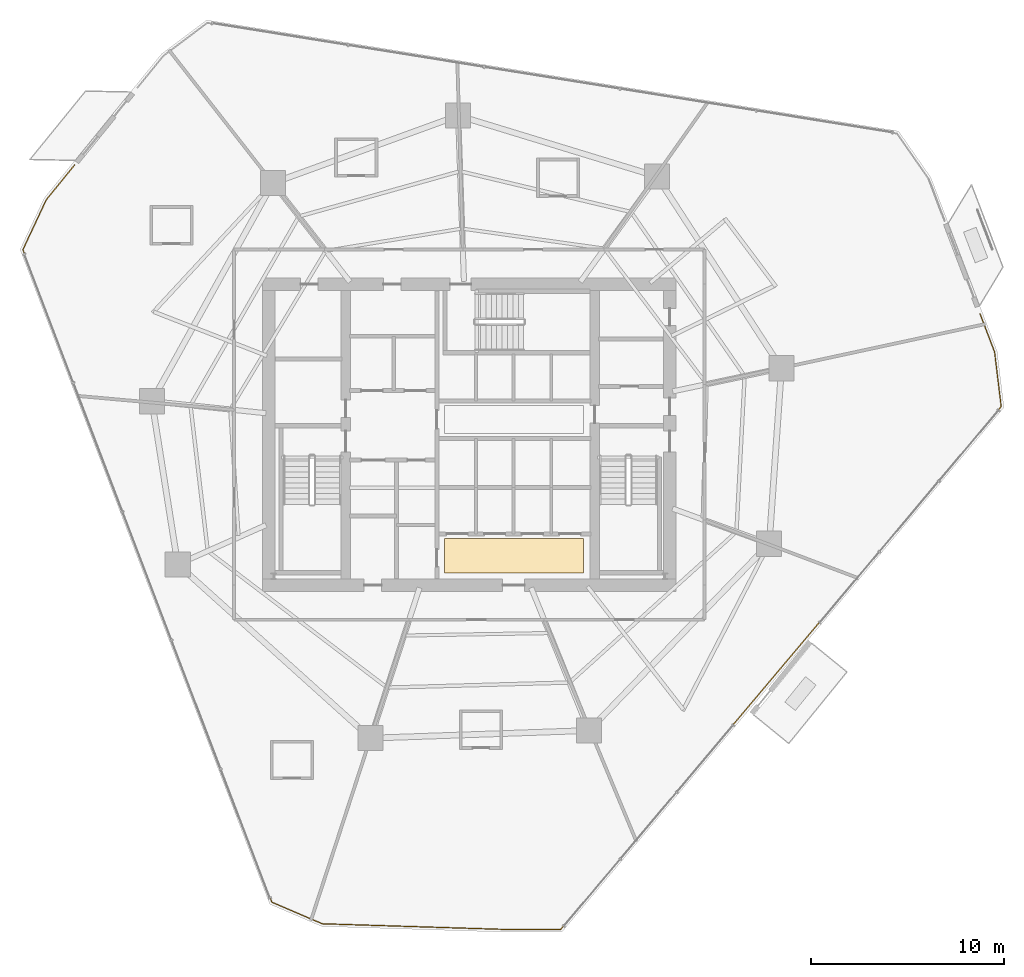
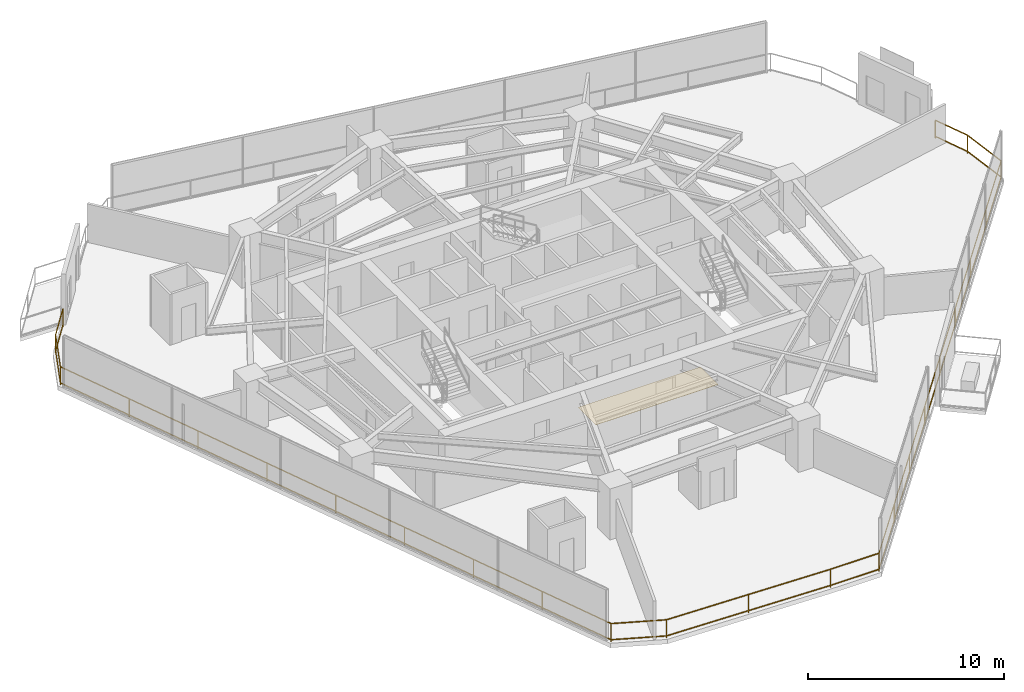
# One storey, part 29 of 31: 1 covering, 1 railing.
"""IFC4 building model written with IfcOpenShell, lengths in metres."""

from ifc_helpers import new_model, si_unit, direction, frame, origin, origin_2d, place, context, subcontext, project, spatial, rectangle, extrude, material, layer, layer_set, type_object, element, save


model = new_model("IFC4")

# Units and contexts
model_context = context("Model", 3, precision=1e-05, world=origin(), true_north=direction((0.0, 1.0)))
body_context = subcontext(model_context, "Body", "Model", "MODEL_VIEW")
ifc_project = project(units=[si_unit("LENGTHUNIT", "METRE"), si_unit("AREAUNIT", "SQUARE_METRE"), si_unit("VOLUMEUNIT", "CUBIC_METRE"), si_unit("PLANEANGLEUNIT", "RADIAN"), si_unit("MASSUNIT", "GRAM", prefix="KILO")], contexts=[model_context])

# Site, building, storey
site_placement = place(None, origin())
site = spatial("IfcSite", under=ifc_project, at=site_placement, CompositionType="ELEMENT")
building_placement = place(site_placement, origin())
building = spatial("IfcBuilding", under=site, at=building_placement, Name="Qarnah Convention Tower", CompositionType="ELEMENT")
storey_placement = place(building_placement, frame((0.0, 0.0, 33.89990234375)))
storey = spatial("IfcBuildingStorey", under=building, at=storey_placement, Name="L07", CompositionType="ELEMENT", Elevation=33.89990234375)

# Covering
ifc_material_1 = material(Name="Porcelain stone floor tile", Category="masonry")
ifc_layer = layer(ifc_material_1, 0.02001953125)
ifc_layer_set = layer_set([ifc_layer], Name="Porcelain stone floor tile")
covering_type = type_object("IfcCoveringType", Name="COV-FLOOR-20", PredefinedType="FLOORING", material=ifc_layer_set)
covering_placement = place(storey_placement, frame((39.52001953125, 20.1201171875, 0.0), z_axis=(0.0, 0.0, 1.0), x_axis=(1.0, 0.0, 0.0)))
element("IfcCovering", 1, at=covering_placement, inside=storey, type_object=covering_type, Name="L07 lift lobby porcelain stone flooring", PredefinedType="FLOORING", context=body_context, shape_type="SweptSolid", body=[
    extrude(rectangle(XDim=7.199951171875, YDim=1.800048828125, at=origin_2d()), origin(), (0.0, 0.0, 1.0), 0.02001953125),
])

# Railing
ifc_material_2 = material(Name="Black anodised aluminium", Category="aluminium")
railing_type = type_object("IfcRailingType", Name="RL-EXT-GUARD-1150", PredefinedType="GUARDRAIL", material=ifc_material_2)
railing_placement = place(storey_placement, frame((63.681884765625, 32.66796875, 0.0)))
element("IfcRailing", 2, at=railing_placement, inside=storey, type_object=railing_type, Name="L07 slab-edge perimeter safety guard 02", PredefinedType="GUARDRAIL", context=body_context, shape_type="SweptSolid", body=[
    extrude(rectangle(XDim=0.048095703125, YDim=0.048095703125, at=origin_2d()), frame((0.0, 0.0, 1.1259765625), z_axis=(0.356382400834, -0.934340186643, 0.0), x_axis=(0.934340186643, 0.356382400834, 0.0)), (0.0, 0.0, 1.0), 2.124267578125),
    extrude(rectangle(XDim=0.048095703125, YDim=0.048095703125, at=origin_2d()), frame((0.0, 0.0, 0.1201171875), z_axis=(0.356382400834, -0.934340186643, 0.0), x_axis=(0.934340186643, 0.356382400834, 0.0)), (0.0, 0.0, 1.0), 2.124267578125),
    extrude(rectangle(XDim=0.048095703125, YDim=0.048095703125, at=origin_2d()), frame((0.757080078125, -1.98486328125, 1.1259765625), z_axis=(0.119945281675, -0.992780504142, 0.0), x_axis=(0.992780504142, 0.119945281675, 0.0)), (0.0, 0.0, 1.0), 2.8515625),
    extrude(rectangle(XDim=0.048095703125, YDim=0.048095703125, at=origin_2d()), frame((0.757080078125, -1.98486328125, 0.1201171875), z_axis=(0.119945281675, -0.992780504142, 0.0), x_axis=(0.992780504142, 0.119945281675, 0.0)), (0.0, 0.0, 1.0), 2.8515625),
    extrude(rectangle(XDim=0.048095703125, YDim=0.048095703125, at=origin_2d()), frame((1.09912109375, -4.81591796875, 1.1259765625), z_axis=(-0.6444111487, -0.764679195108, 0.0), x_axis=(0.764679195108, -0.6444111487, 0.0)), (0.0, 0.0, 1.0), 35.45556640625),
    extrude(rectangle(XDim=0.048095703125, YDim=0.048095703125, at=origin_2d()), frame((1.09912109375, -4.81591796875, 0.1201171875), z_axis=(-0.6444111487, -0.764679195108, 0.0), x_axis=(0.764679195108, -0.6444111487, 0.0)), (0.0, 0.0, 1.0), 35.45556640625),
    extrude(rectangle(XDim=0.048095703125, YDim=0.048095703125, at=origin_2d()), frame((-21.748779296875, -31.927978515625, 1.1259765625), z_axis=(-1.0, 0.0, 0.0), x_axis=(0.0, -1.0, 0.0)), (0.0, 0.0, 1.0), 2.85205078125),
    extrude(rectangle(XDim=0.048095703125, YDim=0.048095703125, at=origin_2d()), frame((-21.748779296875, -31.927978515625, 0.1201171875), z_axis=(-1.0, 0.0, 0.0), x_axis=(0.0, -1.0, 0.0)), (0.0, 0.0, 1.0), 2.85205078125),
    extrude(rectangle(XDim=0.048095703125, YDim=0.048095703125, at=origin_2d()), frame((-24.600830078125, -31.927978515625, 1.1259765625), z_axis=(-0.99952184826, 0.030920460054, 0.0), x_axis=(-0.030920460054, -0.99952184826, 0.0)), (0.0, 0.0, 1.0), 9.506591796875),
    extrude(rectangle(XDim=0.048095703125, YDim=0.048095703125, at=origin_2d()), frame((-24.600830078125, -31.927978515625, 0.1201171875), z_axis=(-0.99952184826, 0.030920460054, 0.0), x_axis=(-0.030920460054, -0.99952184826, 0.0)), (0.0, 0.0, 1.0), 9.506591796875),
    extrude(rectangle(XDim=0.048095703125, YDim=0.048095703125, at=origin_2d()), frame((-34.102783203125, -31.634033203125, 1.1259765625), z_axis=(-0.919690165346, 0.392644877422, 0.0), x_axis=(-0.392644877422, -0.919690165346, 0.0)), (0.0, 0.0, 1.0), 2.8447265625),
    extrude(rectangle(XDim=0.048095703125, YDim=0.048095703125, at=origin_2d()), frame((-34.102783203125, -31.634033203125, 0.1201171875), z_axis=(-0.919690165346, 0.392644877422, 0.0), x_axis=(-0.392644877422, -0.919690165346, 0.0)), (0.0, 0.0, 1.0), 2.8447265625),
    extrude(rectangle(XDim=0.048095703125, YDim=0.048095703125, at=origin_2d()), frame((-36.718994140625, -30.51708984375, 1.1259765625), z_axis=(-0.356422173882, 0.934325015166, 0.0), x_axis=(-0.934325015166, -0.356422173882, 0.0)), (0.0, 0.0, 1.0), 36.220947265625),
    extrude(rectangle(XDim=0.048095703125, YDim=0.048095703125, at=origin_2d()), frame((-36.718994140625, -30.51708984375, 0.1201171875), z_axis=(-0.356422173882, 0.934325015166, 0.0), x_axis=(-0.934325015166, -0.356422173882, 0.0)), (0.0, 0.0, 1.0), 36.220947265625),
    extrude(rectangle(XDim=0.048095703125, YDim=0.048095703125, at=origin_2d()), frame((-49.62890625, 3.324951171875, 1.1259765625), z_axis=(0.424214738959, 0.905561624214, 0.0), x_axis=(-0.905561624214, 0.424214738959, 0.0)), (0.0, 0.0, 1.0), 2.8544921875),
    extrude(rectangle(XDim=0.048095703125, YDim=0.048095703125, at=origin_2d()), frame((-49.62890625, 3.324951171875, 0.1201171875), z_axis=(0.424214738959, 0.905561624214, 0.0), x_axis=(-0.905561624214, 0.424214738959, 0.0)), (0.0, 0.0, 1.0), 2.8544921875),
    extrude(rectangle(XDim=0.048095703125, YDim=0.048095703125, at=origin_2d()), frame((-48.41796875, 5.909912109375, 1.1259765625), z_axis=(0.631025604213, 0.775762003986, 0.0), x_axis=(-0.775762003986, 0.631025604213, 0.0)), (0.0, 0.0, 1.0), 2.33447265625),
    extrude(rectangle(XDim=0.048095703125, YDim=0.048095703125, at=origin_2d()), frame((-48.41796875, 5.909912109375, 0.1201171875), z_axis=(0.631025604213, 0.775762003986, 0.0), x_axis=(-0.775762003986, 0.631025604213, 0.0)), (0.0, 0.0, 1.0), 2.33447265625),
    extrude(rectangle(XDim=0.0419921875, YDim=0.0419921875, at=origin_2d()), origin(), (0.0, 0.0, 1.0), 1.101806640625),
    extrude(rectangle(XDim=0.0419921875, YDim=0.0419921875, at=origin_2d()), frame((0.757080078125, -1.98486328125, 0.0)), (0.0, 0.0, 1.0), 1.101806640625),
    extrude(rectangle(XDim=0.0419921875, YDim=0.0419921875, at=origin_2d()), frame((1.09912109375, -4.81591796875, 0.0)), (0.0, 0.0, 1.0), 1.101806640625),
    extrude(rectangle(XDim=0.0419921875, YDim=0.0419921875, at=origin_2d()), frame((-1.7568359375, -8.204833984375, 0.0)), (0.0, 0.0, 1.0), 1.101806640625),
    extrude(rectangle(XDim=0.0419921875, YDim=0.0419921875, at=origin_2d()), frame((-4.61279296875, -11.593994140625, 0.0)), (0.0, 0.0, 1.0), 1.101806640625),
    extrude(rectangle(XDim=0.0419921875, YDim=0.0419921875, at=origin_2d()), frame((-7.46875, -14.98291015625, 0.0)), (0.0, 0.0, 1.0), 1.101806640625),
    extrude(rectangle(XDim=0.0419921875, YDim=0.0419921875, at=origin_2d()), frame((-10.32470703125, -18.3720703125, 0.0)), (0.0, 0.0, 1.0), 1.101806640625),
    extrude(rectangle(XDim=0.0419921875, YDim=0.0419921875, at=origin_2d()), frame((-13.180908203125, -21.760986328125, 0.0)), (0.0, 0.0, 1.0), 1.101806640625),
    extrude(rectangle(XDim=0.0419921875, YDim=0.0419921875, at=origin_2d()), frame((-16.036865234375, -25.14990234375, 0.0)), (0.0, 0.0, 1.0), 1.101806640625),
    extrude(rectangle(XDim=0.0419921875, YDim=0.0419921875, at=origin_2d()), frame((-18.892822265625, -28.5390625, 0.0)), (0.0, 0.0, 1.0), 1.101806640625),
    extrude(rectangle(XDim=0.0419921875, YDim=0.0419921875, at=origin_2d()), frame((-21.748779296875, -31.927978515625, 0.0)), (0.0, 0.0, 1.0), 1.101806640625),
    extrude(rectangle(XDim=0.0419921875, YDim=0.0419921875, at=origin_2d()), frame((-24.600830078125, -31.927978515625, 0.0)), (0.0, 0.0, 1.0), 1.101806640625),
    extrude(rectangle(XDim=0.0419921875, YDim=0.0419921875, at=origin_2d()), frame((-29.351806640625, -31.781005859375, 0.0)), (0.0, 0.0, 1.0), 1.101806640625),
    extrude(rectangle(XDim=0.0419921875, YDim=0.0419921875, at=origin_2d()), frame((-34.102783203125, -31.634033203125, 0.0)), (0.0, 0.0, 1.0), 1.101806640625),
    extrude(rectangle(XDim=0.0419921875, YDim=0.0419921875, at=origin_2d()), frame((-36.718994140625, -30.51708984375, 0.0)), (0.0, 0.0, 1.0), 1.101806640625),
    extrude(rectangle(XDim=0.0419921875, YDim=0.0419921875, at=origin_2d()), frame((-38.332763671875, -26.286865234375, 0.0)), (0.0, 0.0, 1.0), 1.101806640625),
    extrude(rectangle(XDim=0.0419921875, YDim=0.0419921875, at=origin_2d()), frame((-39.946533203125, -22.056640625, 0.0)), (0.0, 0.0, 1.0), 1.101806640625),
    extrude(rectangle(XDim=0.0419921875, YDim=0.0419921875, at=origin_2d()), frame((-41.560302734375, -17.826416015625, 0.0)), (0.0, 0.0, 1.0), 1.101806640625),
    extrude(rectangle(XDim=0.0419921875, YDim=0.0419921875, at=origin_2d()), frame((-43.173828125, -13.59619140625, 0.0)), (0.0, 0.0, 1.0), 1.101806640625),
    extrude(rectangle(XDim=0.0419921875, YDim=0.0419921875, at=origin_2d()), frame((-44.78759765625, -9.36572265625, 0.0)), (0.0, 0.0, 1.0), 1.101806640625),
    extrude(rectangle(XDim=0.0419921875, YDim=0.0419921875, at=origin_2d()), frame((-46.4013671875, -5.135498046875, 0.0)), (0.0, 0.0, 1.0), 1.101806640625),
    extrude(rectangle(XDim=0.0419921875, YDim=0.0419921875, at=origin_2d()), frame((-48.01513671875, -0.9052734375, 0.0)), (0.0, 0.0, 1.0), 1.101806640625),
    extrude(rectangle(XDim=0.0419921875, YDim=0.0419921875, at=origin_2d()), frame((-49.62890625, 3.324951171875, 0.0)), (0.0, 0.0, 1.0), 1.101806640625),
    extrude(rectangle(XDim=0.0419921875, YDim=0.0419921875, at=origin_2d()), frame((-48.41796875, 5.909912109375, 0.0)), (0.0, 0.0, 1.0), 1.101806640625),
    extrude(rectangle(XDim=0.0419921875, YDim=0.0419921875, at=origin_2d()), frame((-46.94482421875, 7.720947265625, 0.0)), (0.0, 0.0, 1.0), 1.101806640625),
])

save(model, "model.ifc")
